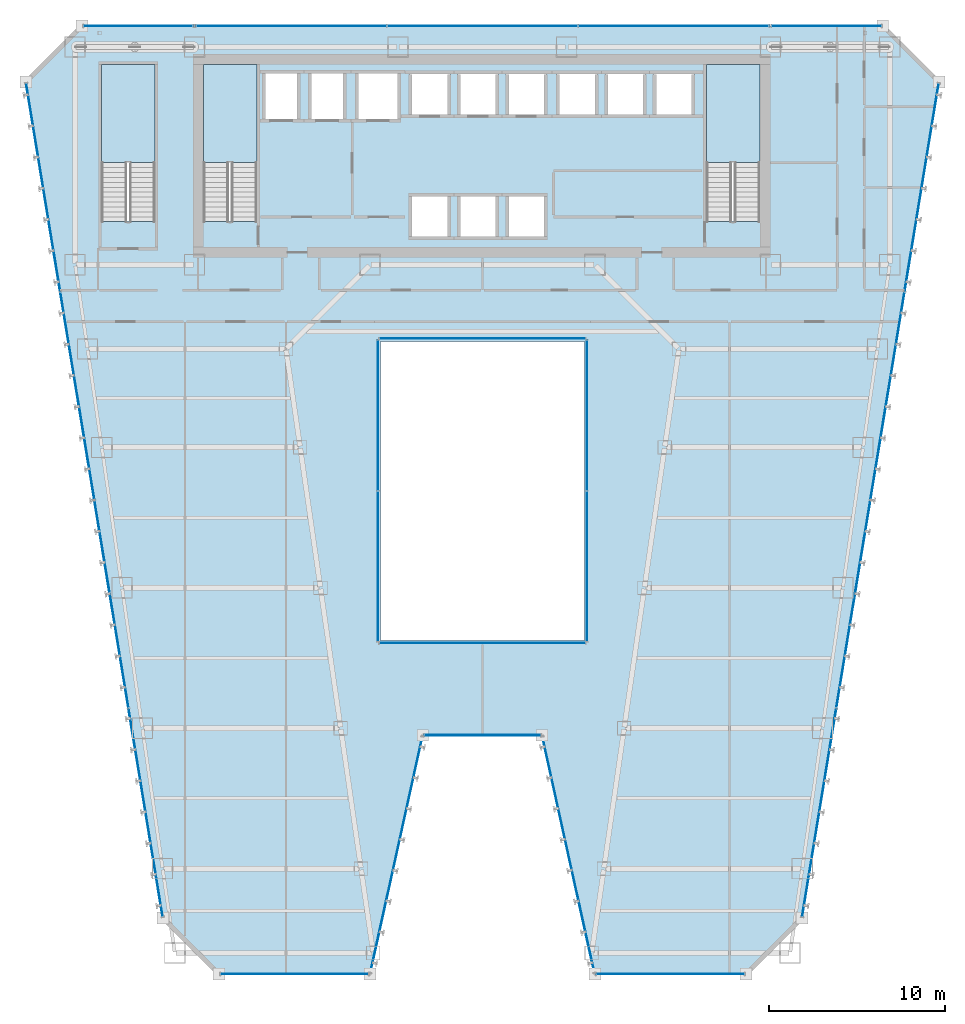
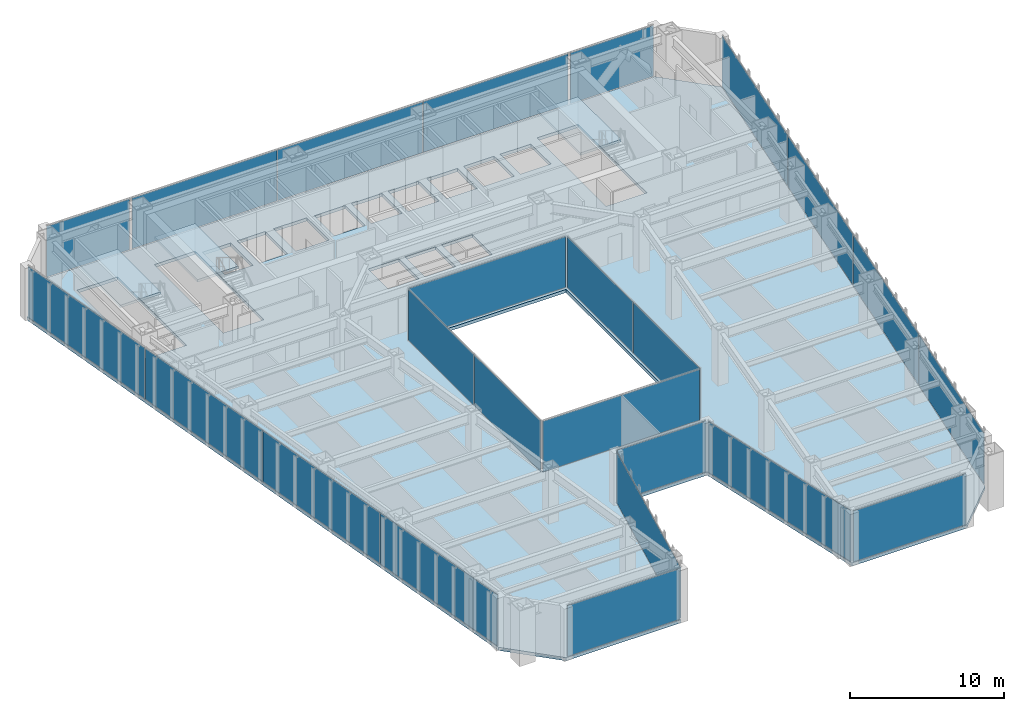
# One storey, part 34 of 47: 24 plates, 4 slabs, 17 elements without a shape of their own.
"""IFC4 building model written with IfcOpenShell, lengths in metres."""

from ifc_helpers import new_model, si_unit, direction, frame, origin, origin_2d, place, context, subcontext, project, spatial, polyline, rectangle, outline, extrude, material, layer, layer_set, type_object, element, aggregate, save


model = new_model("IFC4")

# Units and contexts
model_context = context("Model", 3, precision=1e-05, world=origin(), true_north=direction((0.0, 1.0)))
body_context = subcontext(model_context, "Body", "Model", "MODEL_VIEW")
ifc_project = project(units=[si_unit("LENGTHUNIT", "METRE"), si_unit("AREAUNIT", "SQUARE_METRE"), si_unit("VOLUMEUNIT", "CUBIC_METRE"), si_unit("PLANEANGLEUNIT", "RADIAN"), si_unit("MASSUNIT", "GRAM", prefix="KILO")], contexts=[model_context])

# Site, building, storey
site_placement = place(None, origin())
site = spatial("IfcSite", under=ifc_project, at=site_placement, CompositionType="ELEMENT")
building_placement = place(site_placement, origin())
building = spatial("IfcBuilding", under=site, at=building_placement, Name="Saevonmaru Cultural Tower", CompositionType="ELEMENT")
storey_placement = place(building_placement, frame((0.0, 0.0, 47.199951171875)))
storey = spatial("IfcBuildingStorey", under=building, at=storey_placement, Name="L09", CompositionType="ELEMENT", Elevation=47.199951171875)

# Curtain wall, plate
ifc_material_1 = material(Name="Satin Bronze Anodised Aluminium", Category="aluminium")
curtain_wall_type_1 = type_object("IfcCurtainWallType", Name="CW-ATR-GLZ", PredefinedType="NOTDEFINED", material=ifc_material_1)
curtain_wall_1_placement = place(storey_placement, origin())
curtain_wall_1 = element("IfcCurtainWall", 1, at=curtain_wall_1_placement, inside=storey, type_object=curtain_wall_type_1, Name="L09 Vertical Atrium Glazed Smoke Screen 1", PredefinedType="NOTDEFINED")
ifc_material_2 = material(Name="Fire-Rated Laminated Atrium Glass", Category="glass")
ifc_layer_1 = layer(ifc_material_2, 0.031982421875, Name="Fire-Rated Laminated Atrium Glass")
ifc_layer_set_1 = layer_set([ifc_layer_1], Name="Fire-Rated Laminated Atrium Glass")
plate_type_1 = type_object("IfcPlateType", Name="PN-GLZ-ATR-INT", PredefinedType="CURTAIN_PANEL", material=ifc_layer_set_1)
plate_1_placement = place(storey_placement, frame((30.0, 20.85009765625, 0.06689453125), z_axis=(0.0, 0.0, 1.0), x_axis=(1.0, 0.0, 0.0)))
plate_1 = element("IfcPlate", 2, at=plate_1_placement, type_object=plate_type_1, Name="CW-ATR-L09-1 panel 1.1", PredefinedType="CURTAIN_PANEL", context=body_context, shape_type="SweptSolid", body=[
    extrude(rectangle(XDim=11.7109375, YDim=0.031982421875, at=origin_2d()), origin(), (0.0, 0.0, 1.0), 4.01611328125),
])
aggregate(curtain_wall_1, [plate_1])

# Curtain wall, plates
curtain_wall_2_placement = place(storey_placement, origin())
curtain_wall_2 = element("IfcCurtainWall", 3, at=curtain_wall_2_placement, inside=storey, type_object=curtain_wall_type_1, Name="L09 Vertical Atrium Glazed Smoke Screen 2", PredefinedType="NOTDEFINED")
plate_2_placement = place(storey_placement, frame((35.949951171875, 25.215087890625, 0.06689453125), z_axis=(0.0, 0.0, 1.0), x_axis=(0.0, 1.0, 0.0)))
plate_2 = element("IfcPlate", 4, at=plate_2_placement, type_object=plate_type_1, Name="CW-ATR-L09-2 panel 1.1", PredefinedType="CURTAIN_PANEL", context=body_context, shape_type="SweptSolid", body=[
    extrude(rectangle(XDim=8.541015625, YDim=0.031982421875, at=origin_2d()), origin(), (0.0, 0.0, 1.0), 4.01611328125),
])
plate_3_placement = place(storey_placement, frame((35.949951171875, 33.824951171875, 0.06689453125), z_axis=(0.0, 0.0, 1.0), x_axis=(0.0, 1.0, 0.0)))
plate_3 = element("IfcPlate", 5, at=plate_3_placement, type_object=plate_type_1, Name="CW-ATR-L09-2 panel 2.1", PredefinedType="CURTAIN_PANEL", context=body_context, shape_type="SweptSolid", body=[
    extrude(rectangle(XDim=8.541015625, YDim=0.031982421875, at=origin_2d()), origin(), (0.0, 0.0, 1.0), 4.01611328125),
])
aggregate(curtain_wall_2, [plate_2, plate_3])

# Curtain wall, plate
curtain_wall_3_placement = place(storey_placement, origin())
curtain_wall_3 = element("IfcCurtainWall", 6, at=curtain_wall_3_placement, inside=storey, type_object=curtain_wall_type_1, Name="L09 Vertical Atrium Glazed Smoke Screen 3", PredefinedType="NOTDEFINED")
plate_4_placement = place(storey_placement, frame((30.0, 38.18994140625, 0.06689453125), z_axis=(0.0, 0.0, 1.0), x_axis=(-1.0, 0.0, 0.0)))
plate_4 = element("IfcPlate", 7, at=plate_4_placement, type_object=plate_type_1, Name="CW-ATR-L09-3 panel 1.1", PredefinedType="CURTAIN_PANEL", context=body_context, shape_type="SweptSolid", body=[
    extrude(rectangle(XDim=11.7109375, YDim=0.031982421875, at=origin_2d()), origin(), (0.0, 0.0, 1.0), 4.01611328125),
])
aggregate(curtain_wall_3, [plate_4])

# Curtain wall, plates
curtain_wall_4_placement = place(storey_placement, origin())
curtain_wall_4 = element("IfcCurtainWall", 8, at=curtain_wall_4_placement, inside=storey, type_object=curtain_wall_type_1, Name="L09 Vertical Atrium Glazed Smoke Screen 4", PredefinedType="NOTDEFINED")
plate_5_placement = place(storey_placement, frame((24.050048828125, 33.824951171875, 0.06689453125), z_axis=(0.0, 0.0, 1.0), x_axis=(0.0, -1.0, 0.0)))
plate_5 = element("IfcPlate", 9, at=plate_5_placement, type_object=plate_type_1, Name="CW-ATR-L09-4 panel 1.1", PredefinedType="CURTAIN_PANEL", context=body_context, shape_type="SweptSolid", body=[
    extrude(rectangle(XDim=8.541015625, YDim=0.031982421875, at=origin_2d()), origin(), (0.0, 0.0, 1.0), 4.01611328125),
])
plate_6_placement = place(storey_placement, frame((24.050048828125, 25.215087890625, 0.06689453125), z_axis=(0.0, 0.0, 1.0), x_axis=(0.0, -1.0, 0.0)))
plate_6 = element("IfcPlate", 10, at=plate_6_placement, type_object=plate_type_1, Name="CW-ATR-L09-4 panel 2.1", PredefinedType="CURTAIN_PANEL", context=body_context, shape_type="SweptSolid", body=[
    extrude(rectangle(XDim=8.541015625, YDim=0.031982421875, at=origin_2d()), origin(), (0.0, 0.0, 1.0), 4.01611328125),
])
aggregate(curtain_wall_4, [plate_5, plate_6])

# Curtain wall, plate
curtain_wall_type_2 = type_object("IfcCurtainWallType", Name="CW-TYP-A", PredefinedType="NOTDEFINED", material=ifc_material_1)
curtain_wall_5_placement = place(storey_placement, origin())
curtain_wall_5 = element("IfcCurtainWall", 11, at=curtain_wall_5_placement, inside=storey, type_object=curtain_wall_type_2, Name="L09 Unitised Curtain Wall E2", PredefinedType="NOTDEFINED")
ifc_material_3 = material(Name="Triple Silver Low-E Insulating Glass", Category="glass")
ifc_layer_2 = layer(ifc_material_3, 0.035888671875, Name="Triple Silver Low-E Insulating Glass")
ifc_layer_set_2 = layer_set([ifc_layer_2], Name="Triple Silver Low-E Insulating Glass")
plate_type_2 = type_object("IfcPlateType", Name="PN-GLZ-IGU", PredefinedType="CURTAIN_PANEL", material=ifc_layer_set_2)
plate_7_placement = place(storey_placement, frame((19.300048828125, 2.0, 0.06689453125), z_axis=(0.0, 0.0, 1.0), x_axis=(1.0, 0.0, 0.0)))
plate_7 = element("IfcPlate", 12, at=plate_7_placement, type_object=plate_type_2, Name="CW-TW-L09-E2 panel 1.1", PredefinedType="CURTAIN_PANEL", context=body_context, shape_type="SweptSolid", body=[
    extrude(rectangle(XDim=8.410888671875, YDim=0.035888671875, at=origin_2d()), origin(), (0.0, 0.0, 1.0), 4.01611328125),
])
aggregate(curtain_wall_5, [plate_7])

curtain_wall_6_placement = place(storey_placement, origin())
curtain_wall_6 = element("IfcCurtainWall", 13, at=curtain_wall_6_placement, inside=storey, type_object=curtain_wall_type_2, Name="L09 Unitised Curtain Wall E3", PredefinedType="NOTDEFINED")
plate_8_placement = place(storey_placement, frame((25.10009765625, 8.800048828125, 0.06689453125), z_axis=(0.0, 0.0, 1.0), x_axis=(0.215413319953, 0.976522965212, 0.0)))
plate_8 = element("IfcPlate", 14, at=plate_8_placement, type_object=plate_type_2, Name="CW-TW-L09-E3 panel 1.1", PredefinedType="CURTAIN_PANEL", context=body_context, shape_type="SweptSolid", body=[
    extrude(rectangle(XDim=13.738037109375, YDim=0.035888671875, at=origin_2d()), origin(), (0.0, 0.0, 1.0), 4.01611328125),
])
aggregate(curtain_wall_6, [plate_8])

curtain_wall_7_placement = place(storey_placement, origin())
curtain_wall_7 = element("IfcCurtainWall", 15, at=curtain_wall_7_placement, inside=storey, type_object=curtain_wall_type_2, Name="L09 Unitised Curtain Wall E4", PredefinedType="NOTDEFINED")
plate_9_placement = place(storey_placement, frame((30.0, 15.60009765625, 0.06689453125), z_axis=(0.0, 0.0, 1.0), x_axis=(1.0, 0.0, 0.0)))
plate_9 = element("IfcPlate", 16, at=plate_9_placement, type_object=plate_type_2, Name="CW-TW-L09-E4 panel 1.1", PredefinedType="CURTAIN_PANEL", context=body_context, shape_type="SweptSolid", body=[
    extrude(rectangle(XDim=6.611083984375, YDim=0.035888671875, at=origin_2d()), origin(), (0.0, 0.0, 1.0), 4.01611328125),
])
aggregate(curtain_wall_7, [plate_9])

curtain_wall_8_placement = place(storey_placement, origin())
curtain_wall_8 = element("IfcCurtainWall", 17, at=curtain_wall_8_placement, inside=storey, type_object=curtain_wall_type_2, Name="L09 Unitised Curtain Wall E5", PredefinedType="NOTDEFINED")
plate_10_placement = place(storey_placement, frame((34.89990234375, 8.800048828125, 0.06689453125), z_axis=(0.0, 0.0, 1.0), x_axis=(0.215413319953, -0.976522965212, 0.0)))
plate_10 = element("IfcPlate", 18, at=plate_10_placement, type_object=plate_type_2, Name="CW-TW-L09-E5 panel 1.1", PredefinedType="CURTAIN_PANEL", context=body_context, shape_type="SweptSolid", body=[
    extrude(rectangle(XDim=13.738037109375, YDim=0.035888671875, at=origin_2d()), origin(), (0.0, 0.0, 1.0), 4.01611328125),
])
aggregate(curtain_wall_8, [plate_10])

curtain_wall_9_placement = place(storey_placement, origin())
curtain_wall_9 = element("IfcCurtainWall", 19, at=curtain_wall_9_placement, inside=storey, type_object=curtain_wall_type_2, Name="L09 Unitised Curtain Wall E6", PredefinedType="NOTDEFINED")
plate_11_placement = place(storey_placement, frame((40.699951171875, 2.0, 0.06689453125), z_axis=(0.0, 0.0, 1.0), x_axis=(1.0, 0.0, 0.0)))
plate_11 = element("IfcPlate", 20, at=plate_11_placement, type_object=plate_type_2, Name="CW-TW-L09-E6 panel 1.1", PredefinedType="CURTAIN_PANEL", context=body_context, shape_type="SweptSolid", body=[
    extrude(rectangle(XDim=8.410888671875, YDim=0.035888671875, at=origin_2d()), origin(), (0.0, 0.0, 1.0), 4.01611328125),
])
aggregate(curtain_wall_9, [plate_11])

# Curtain wall, plates
curtain_wall_10_placement = place(storey_placement, origin())
curtain_wall_10 = element("IfcCurtainWall", 21, at=curtain_wall_10_placement, inside=storey, type_object=curtain_wall_type_2, Name="L09 Unitised Curtain Wall E8", PredefinedType="NOTDEFINED")
plate_12_placement = place(storey_placement, frame((49.182373046875, 11.1943359375, 0.06689453125), z_axis=(0.0, 0.0, 1.0), x_axis=(0.161708868641, 0.986838508472, 0.0)))
plate_12 = element("IfcPlate", 22, at=plate_12_placement, type_object=plate_type_2, Name="CW-TW-L09-E8 panel 1.1", PredefinedType="CURTAIN_PANEL", context=body_context, shape_type="SweptSolid", body=[
    extrude(rectangle(XDim=11.959716796875, YDim=0.035888671875, at=origin_2d()), origin(), (0.0, 0.0, 1.0), 4.01611328125),
])
plate_13_placement = place(storey_placement, frame((51.12744140625, 23.064697265625, 0.06689453125), z_axis=(0.0, 0.0, 1.0), x_axis=(0.161708868641, 0.986838508472, 0.0)))
plate_13 = element("IfcPlate", 23, at=plate_13_placement, type_object=plate_type_2, Name="CW-TW-L09-E8 panel 2.1", PredefinedType="CURTAIN_PANEL", context=body_context, shape_type="SweptSolid", body=[
    extrude(rectangle(XDim=11.959716796875, YDim=0.035888671875, at=origin_2d()), origin(), (0.0, 0.0, 1.0), 4.01611328125),
])
plate_14_placement = place(storey_placement, frame((53.072509765625, 34.935302734375, 0.06689453125), z_axis=(0.0, 0.0, 1.0), x_axis=(0.161708868641, 0.986838508472, 0.0)))
plate_14 = element("IfcPlate", 24, at=plate_14_placement, type_object=plate_type_2, Name="CW-TW-L09-E8 panel 3.1", PredefinedType="CURTAIN_PANEL", context=body_context, shape_type="SweptSolid", body=[
    extrude(rectangle(XDim=11.959716796875, YDim=0.035888671875, at=origin_2d()), origin(), (0.0, 0.0, 1.0), 4.01611328125),
])
plate_15_placement = place(storey_placement, frame((55.017822265625, 46.8056640625, 0.06689453125), z_axis=(0.0, 0.0, 1.0), x_axis=(0.161708868641, 0.986838508472, 0.0)))
plate_15 = element("IfcPlate", 25, at=plate_15_placement, type_object=plate_type_2, Name="CW-TW-L09-E8 panel 4.1", PredefinedType="CURTAIN_PANEL", context=body_context, shape_type="SweptSolid", body=[
    extrude(rectangle(XDim=11.959716796875, YDim=0.035888671875, at=origin_2d()), origin(), (0.0, 0.0, 1.0), 4.01611328125),
])
aggregate(curtain_wall_10, [plate_12, plate_13, plate_14, plate_15])

curtain_wall_11_placement = place(storey_placement, origin())
curtain_wall_11 = element("IfcCurtainWall", 26, at=curtain_wall_11_placement, inside=storey, type_object=curtain_wall_type_2, Name="L09 North Spine Unitised Curtain Wall E10B", PredefinedType="NOTDEFINED")
plate_16_placement = place(storey_placement, frame((40.893310546875, 56.0, 0.06689453125), z_axis=(0.0, 0.0, 1.0), x_axis=(-1.0, 0.0, 0.0)))
plate_16 = element("IfcPlate", 27, at=plate_16_placement, type_object=plate_type_2, Name="CW-TW-L09-E10B panel 1.1", PredefinedType="CURTAIN_PANEL", context=body_context, shape_type="SweptSolid", body=[
    extrude(rectangle(XDim=10.82421875, YDim=0.035888671875, at=origin_2d()), origin(), (0.0, 0.0, 1.0), 4.01611328125),
])
plate_17_placement = place(storey_placement, frame((30.0, 56.0, 0.06689453125), z_axis=(0.0, 0.0, 1.0), x_axis=(-1.0, 0.0, 0.0)))
plate_17 = element("IfcPlate", 28, at=plate_17_placement, type_object=plate_type_2, Name="CW-TW-L09-E10B panel 2.1", PredefinedType="CURTAIN_PANEL", context=body_context, shape_type="SweptSolid", body=[
    extrude(rectangle(XDim=10.82421875, YDim=0.035888671875, at=origin_2d()), origin(), (0.0, 0.0, 1.0), 4.01611328125),
])
plate_18_placement = place(storey_placement, frame((19.106689453125, 56.0, 0.06689453125), z_axis=(0.0, 0.0, 1.0), x_axis=(-1.0, 0.0, 0.0)))
plate_18 = element("IfcPlate", 29, at=plate_18_placement, type_object=plate_type_2, Name="CW-TW-L09-E10B panel 3.1", PredefinedType="CURTAIN_PANEL", context=body_context, shape_type="SweptSolid", body=[
    extrude(rectangle(XDim=10.82421875, YDim=0.035888671875, at=origin_2d()), origin(), (0.0, 0.0, 1.0), 4.01611328125),
])
aggregate(curtain_wall_11, [plate_16, plate_17, plate_18])

curtain_wall_12_placement = place(storey_placement, origin())
curtain_wall_12 = element("IfcCurtainWall", 30, at=curtain_wall_12_placement, inside=storey, type_object=curtain_wall_type_2, Name="L09 Unitised Curtain Wall E12", PredefinedType="NOTDEFINED")
plate_19_placement = place(storey_placement, frame((4.982177734375, 46.8056640625, 0.06689453125), z_axis=(0.0, 0.0, 1.0), x_axis=(0.161708868641, -0.986838508472, 0.0)))
plate_19 = element("IfcPlate", 31, at=plate_19_placement, type_object=plate_type_2, Name="CW-TW-L09-E12 panel 1.1", PredefinedType="CURTAIN_PANEL", context=body_context, shape_type="SweptSolid", body=[
    extrude(rectangle(XDim=11.959716796875, YDim=0.035888671875, at=origin_2d()), origin(), (0.0, 0.0, 1.0), 4.01611328125),
])
plate_20_placement = place(storey_placement, frame((6.927490234375, 34.935302734375, 0.06689453125), z_axis=(0.0, 0.0, 1.0), x_axis=(0.161708868641, -0.986838508472, 0.0)))
plate_20 = element("IfcPlate", 32, at=plate_20_placement, type_object=plate_type_2, Name="CW-TW-L09-E12 panel 2.1", PredefinedType="CURTAIN_PANEL", context=body_context, shape_type="SweptSolid", body=[
    extrude(rectangle(XDim=11.959716796875, YDim=0.035888671875, at=origin_2d()), origin(), (0.0, 0.0, 1.0), 4.01611328125),
])
plate_21_placement = place(storey_placement, frame((8.87255859375, 23.064697265625, 0.06689453125), z_axis=(0.0, 0.0, 1.0), x_axis=(0.161708868641, -0.986838508472, 0.0)))
plate_21 = element("IfcPlate", 33, at=plate_21_placement, type_object=plate_type_2, Name="CW-TW-L09-E12 panel 3.1", PredefinedType="CURTAIN_PANEL", context=body_context, shape_type="SweptSolid", body=[
    extrude(rectangle(XDim=11.959716796875, YDim=0.035888671875, at=origin_2d()), origin(), (0.0, 0.0, 1.0), 4.01611328125),
])
plate_22_placement = place(storey_placement, frame((10.817626953125, 11.1943359375, 0.06689453125), z_axis=(0.0, 0.0, 1.0), x_axis=(0.161708868641, -0.986838508472, 0.0)))
plate_22 = element("IfcPlate", 34, at=plate_22_placement, type_object=plate_type_2, Name="CW-TW-L09-E12 panel 4.1", PredefinedType="CURTAIN_PANEL", context=body_context, shape_type="SweptSolid", body=[
    extrude(rectangle(XDim=11.959716796875, YDim=0.035888671875, at=origin_2d()), origin(), (0.0, 0.0, 1.0), 4.01611328125),
])
aggregate(curtain_wall_12, [plate_19, plate_20, plate_21, plate_22])

# Curtain wall, plate
curtain_wall_13_placement = place(storey_placement, origin())
curtain_wall_13 = element("IfcCurtainWall", 35, at=curtain_wall_13_placement, inside=storey, type_object=curtain_wall_type_2, Name="L09 East Braced Bay Spandrel Curtain Wall E10A", PredefinedType="NOTDEFINED")
ifc_material_4 = material(Name="Insulated Satin Bronze Aluminium Spandrel Panel", Category="aluminium")
ifc_layer_3 = layer(ifc_material_4, 0.0400390625, Name="Insulated Satin Bronze Aluminium Spandrel Panel")
ifc_layer_set_3 = layer_set([ifc_layer_3], Name="Insulated Satin Bronze Aluminium Spandrel Panel")
plate_type_3 = type_object("IfcPlateType", Name="PN-SPANDREL-BRONZE", PredefinedType="CURTAIN_PANEL", material=ifc_layer_set_3)
plate_23_placement = place(storey_placement, frame((49.60009765625, 56.0, 0.06689453125), z_axis=(0.0, 0.0, 1.0), x_axis=(-1.0, 0.0, 0.0)))
plate_23 = element("IfcPlate", 36, at=plate_23_placement, type_object=plate_type_3, Name="CW-TW-L09-E10A panel 1.1", PredefinedType="CURTAIN_PANEL", context=body_context, shape_type="SweptSolid", body=[
    extrude(rectangle(XDim=6.2109375, YDim=0.035888671875, at=origin_2d()), origin(), (0.0, 0.0, 1.0), 4.01611328125),
])
aggregate(curtain_wall_13, [plate_23])

curtain_wall_14_placement = place(storey_placement, origin())
curtain_wall_14 = element("IfcCurtainWall", 37, at=curtain_wall_14_placement, inside=storey, type_object=curtain_wall_type_2, Name="L09 West Braced Bay Spandrel Curtain Wall E10C", PredefinedType="NOTDEFINED")
plate_24_placement = place(storey_placement, frame((10.39990234375, 56.0, 0.06689453125), z_axis=(0.0, 0.0, 1.0), x_axis=(-1.0, 0.0, 0.0)))
plate_24 = element("IfcPlate", 38, at=plate_24_placement, type_object=plate_type_3, Name="CW-TW-L09-E10C panel 1.1", PredefinedType="CURTAIN_PANEL", context=body_context, shape_type="SweptSolid", body=[
    extrude(rectangle(XDim=6.2109375, YDim=0.035888671875, at=origin_2d()), origin(), (0.0, 0.0, 1.0), 4.01611328125),
])
aggregate(curtain_wall_14, [plate_24])

# Slab
ifc_material_5 = material(Name="Concrete C40/50", Category="concrete")
ifc_layer_4 = layer(ifc_material_5, 0.25, Name="Concrete C40/50")
ifc_layer_set_4 = layer_set([ifc_layer_4], Name="Concrete C40/50")
slab_type_1 = type_object("IfcSlabType", Name="SL-FLR-250", PredefinedType="FLOOR", material=ifc_layer_set_4)
slab_1_placement = place(storey_placement, frame((0.0, 0.0, -0.25)))
element("IfcSlab", 39, at=slab_1_placement, inside=storey, type_object=slab_type_1, Name="L09 Tower Structural Floor Slab", PredefinedType="FLOOR", context=body_context, shape_type="SweptSolid", body=[
    extrude(outline(polyline([(11.800048828125, 5.199951171875), (15.0, 2.0), (23.60009765625, 2.0), (26.60009765625, 15.60009765625), (33.39990234375, 15.60009765625), (36.39990234375, 2.0), (45.0, 2.0), (48.199951171875, 5.199951171875), (56.0, 52.800048828125), (52.800048828125, 56.0), (7.199951171875, 56.0), (4.0, 52.800048828125), (11.800048828125, 5.199951171875)]), holes=[polyline([(45.800048828125, 44.875), (42.75, 44.875), (42.75, 53.800048828125), (45.800048828125, 53.800048828125), (45.800048828125, 44.875)]), polyline([(39.75, 50.800048828125), (39.75, 53.39990234375), (42.050048828125, 53.39990234375), (42.050048828125, 50.800048828125), (39.75, 50.800048828125)]), polyline([(37.0, 50.800048828125), (37.0, 53.39990234375), (39.300048828125, 53.39990234375), (39.300048828125, 50.800048828125), (37.0, 50.800048828125)]), polyline([(34.25, 50.800048828125), (34.25, 53.39990234375), (36.550048828125, 53.39990234375), (36.550048828125, 50.800048828125), (34.25, 50.800048828125)]), polyline([(24.199951171875, 21.0), (24.199951171875, 38.0400390625), (35.800048828125, 38.0400390625), (35.800048828125, 21.0), (24.199951171875, 21.0)]), polyline([(31.35009765625, 50.800048828125), (31.35009765625, 53.39990234375), (33.64990234375, 53.39990234375), (33.64990234375, 50.800048828125), (31.35009765625, 50.800048828125)]), polyline([(31.35009765625, 43.85009765625), (31.35009765625, 46.449951171875), (33.64990234375, 46.449951171875), (33.64990234375, 43.85009765625), (31.35009765625, 43.85009765625)]), polyline([(28.60009765625, 43.85009765625), (28.60009765625, 46.449951171875), (30.89990234375, 46.449951171875), (30.89990234375, 43.85009765625), (28.60009765625, 43.85009765625)]), polyline([(28.60009765625, 50.800048828125), (28.60009765625, 53.39990234375), (30.89990234375, 53.39990234375), (30.89990234375, 50.800048828125), (28.60009765625, 50.800048828125)]), polyline([(25.85009765625, 50.800048828125), (25.85009765625, 53.39990234375), (28.14990234375, 53.39990234375), (28.14990234375, 50.800048828125), (25.85009765625, 50.800048828125)]), polyline([(25.85009765625, 43.85009765625), (25.85009765625, 46.449951171875), (28.14990234375, 46.449951171875), (28.14990234375, 43.85009765625), (25.85009765625, 43.85009765625)]), polyline([(22.800048828125, 50.550048828125), (22.800048828125, 53.449951171875), (25.300048828125, 53.449951171875), (25.300048828125, 50.550048828125), (22.800048828125, 50.550048828125)]), polyline([(20.10009765625, 50.550048828125), (20.10009765625, 53.449951171875), (22.199951171875, 53.449951171875), (22.199951171875, 50.550048828125), (20.10009765625, 50.550048828125)]), polyline([(17.5, 50.550048828125), (17.5, 53.449951171875), (19.60009765625, 53.449951171875), (19.60009765625, 50.550048828125), (17.5, 50.550048828125)]), polyline([(17.14990234375, 44.875), (14.10009765625, 44.875), (14.10009765625, 53.800048828125), (17.14990234375, 53.800048828125), (17.14990234375, 44.875)]), polyline([(11.35009765625, 44.875), (8.300048828125, 44.875), (8.300048828125, 53.800048828125), (11.35009765625, 53.800048828125), (11.35009765625, 44.875)])]), origin(), (0.0, 0.0, 1.0), 0.25),
])

# Stair, slab
stair_type = type_object("IfcStairType", Name="STR-DOGLEG-RC", PredefinedType="HALF_TURN_STAIR", material=ifc_material_5)
stair_1_placement = place(storey_placement, origin())
stair_1 = element("IfcStair", 40, at=stair_1_placement, inside=storey, type_object=stair_type, Name="L09 Protected exit stair ST-1", PredefinedType="HALF_TURN_STAIR")
ifc_layer_5 = layer(ifc_material_5, 0.199951171875, Name="Concrete C40/50")
ifc_layer_set_5 = layer_set([ifc_layer_5], Name="Concrete C40/50")
slab_type_2 = type_object("IfcSlabType", Name="SL-STAIR-LANDING", PredefinedType="LANDING", material=ifc_layer_set_5)
slab_2_placement = place(storey_placement, frame((0.0, 0.0, 2.0)))
slab_2 = element("IfcSlab", 41, at=slab_2_placement, type_object=slab_type_2, Name="ST-1-L09 landing 1", PredefinedType="LANDING", context=body_context, shape_type="SweptSolid", body=[
    extrude(outline(polyline([(17.14990234375, 48.2099609375), (17.14990234375, 53.800048828125), (14.10009765625, 53.800048828125), (14.10009765625, 48.2099609375), (17.14990234375, 48.2099609375)])), origin(), (0.0, 0.0, 1.0), 0.199951171875),
])
aggregate(stair_1, [slab_2])

stair_2_placement = place(storey_placement, origin())
stair_2 = element("IfcStair", 42, at=stair_2_placement, inside=storey, type_object=stair_type, Name="L09 Protected exit stair ST-2", PredefinedType="HALF_TURN_STAIR")
slab_3_placement = place(storey_placement, frame((0.0, 0.0, 2.0)))
slab_3 = element("IfcSlab", 43, at=slab_3_placement, type_object=slab_type_2, Name="ST-2-L09 landing 1", PredefinedType="LANDING", context=body_context, shape_type="SweptSolid", body=[
    extrude(outline(polyline([(45.800048828125, 48.2099609375), (45.800048828125, 53.800048828125), (42.75, 53.800048828125), (42.75, 48.2099609375), (45.800048828125, 48.2099609375)])), origin(), (0.0, 0.0, 1.0), 0.199951171875),
])
aggregate(stair_2, [slab_3])

stair_3_placement = place(storey_placement, origin())
stair_3 = element("IfcStair", 44, at=stair_3_placement, inside=storey, type_object=stair_type, Name="L09 Protected exit stair ST-3", PredefinedType="HALF_TURN_STAIR")
slab_4_placement = place(storey_placement, frame((0.0, 0.0, 2.0)))
slab_4 = element("IfcSlab", 45, at=slab_4_placement, type_object=slab_type_2, Name="ST-3-L09 landing 1", PredefinedType="LANDING", context=body_context, shape_type="SweptSolid", body=[
    extrude(outline(polyline([(11.35009765625, 48.2099609375), (11.35009765625, 53.800048828125), (8.300048828125, 53.800048828125), (8.300048828125, 48.2099609375), (11.35009765625, 48.2099609375)])), origin(), (0.0, 0.0, 1.0), 0.199951171875),
])
aggregate(stair_3, [slab_4])

save(model, "model.ifc")
